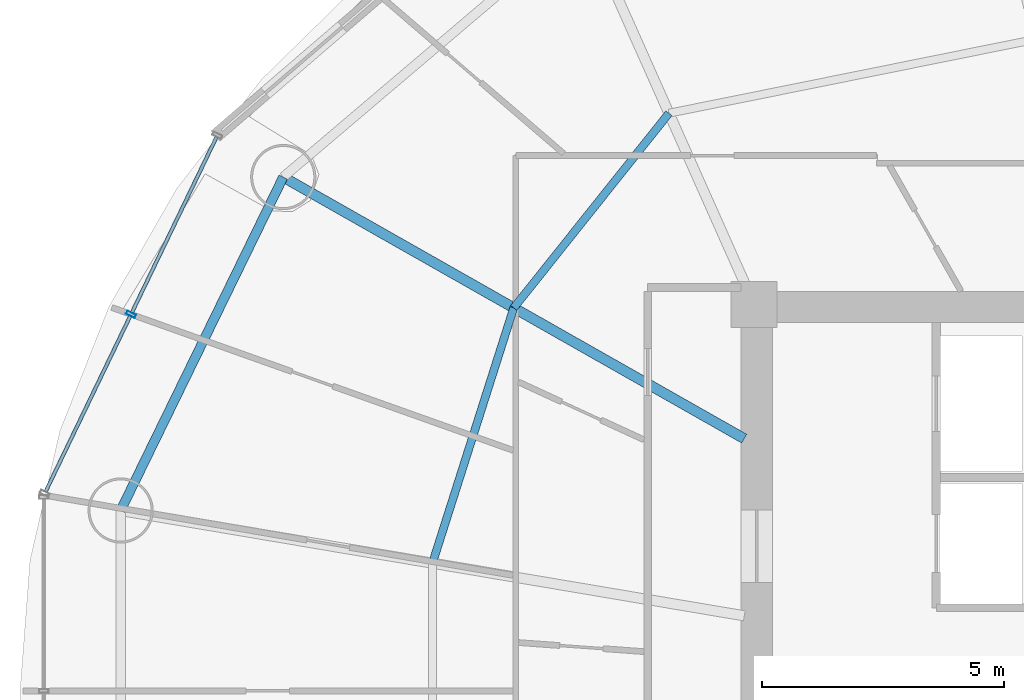
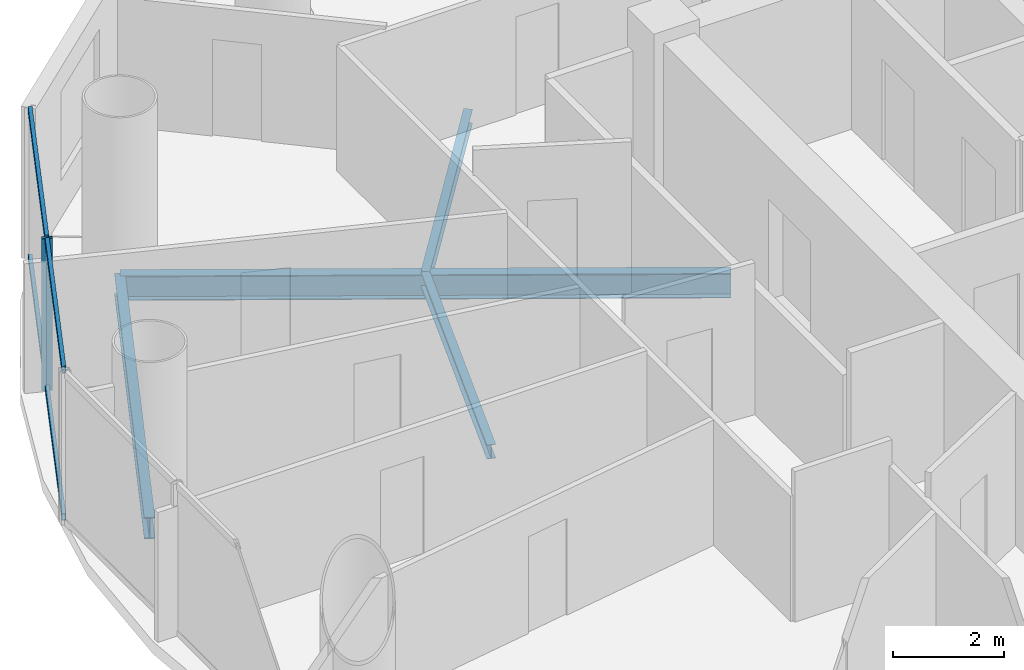
# One storey, part 7 of 26: 5 members, 4 beams, 1 element without a shape of its own.
"""IFC4 building model written with IfcOpenShell, lengths in metres."""

from ifc_helpers import new_model, si_unit, direction, frame, origin, origin_2d, place, context, subcontext, project, spatial, hollow_rectangle, i_section, extrude, source, transform, mapped, material, material_profile, profile_set, type_object, element, aggregate, save


model = new_model("IFC4")

# Units and contexts
model_context = context("Model", 3, precision=1e-05, world=origin(), true_north=direction((-0.2419218956, 0.970295726276)))
body_context = subcontext(model_context, "Body", "Model", "MODEL_VIEW")
ifc_project = project(units=[si_unit("LENGTHUNIT", "METRE"), si_unit("AREAUNIT", "SQUARE_METRE"), si_unit("VOLUMEUNIT", "CUBIC_METRE"), si_unit("PLANEANGLEUNIT", "RADIAN"), si_unit("MASSUNIT", "GRAM", prefix="KILO")], contexts=[model_context])

# Site, building, storey
site_placement = place(None, origin())
site = spatial("IfcSite", under=ifc_project, at=site_placement, CompositionType="ELEMENT")
building_placement = place(site_placement, origin())
building = spatial("IfcBuilding", under=site, at=building_placement, Name="Cobrevalo Terracotta Tower", CompositionType="ELEMENT")
storey_placement = place(building_placement, frame((0.0, 0.0, 167.800048828125)))
storey = spatial("IfcBuildingStorey", under=building, at=storey_placement, Name="L44", CompositionType="ELEMENT", Elevation=167.800048828125)

# Beams
ifc_material_1 = material(Name="Steel S355", Category="steel")
ifc_material_profile_1 = material_profile(ifc_material_1, i_section(OverallWidth=0.2109375, OverallDepth=0.5390625, WebThickness=0.01171875, FlangeThickness=0.018798828125, at=origin_2d()), Name="W 530x109")
ifc_profile_set_1 = profile_set([ifc_material_profile_1], Name="Steel S355")
beam_type_1 = type_object("IfcBeamType", Name="Structural Beam W 530x109 (Steel S355)", PredefinedType="BEAM", material=ifc_profile_set_1)
beam_1_placement = place(storey_placement, frame((19.250244140625, 37.439208984375, -0.53955078125), z_axis=(0.869734177783, -0.493520475762, 0.0), x_axis=(0.493520475762, 0.869734177783, 0.0)))
element("IfcBeam", 1, at=beam_1_placement, inside=storey, type_object=beam_type_1, Name="L44 radial floor girder 07", PredefinedType="BEAM", context=body_context, shape_type="SweptSolid", body=[
    extrude(i_section(OverallWidth=0.2109375, OverallDepth=0.5390625, WebThickness=0.01171875, FlangeThickness=0.018798828125, at=origin_2d()), origin(), (0.0, 0.0, 1.0), 10.974365234375),
])
ifc_material_profile_2 = material_profile(ifc_material_1, i_section(OverallWidth=0.1650390625, OverallDepth=0.31005859375, WebThickness=0.005859375, FlangeThickness=0.009765625, at=origin_2d()), Name="W 310x38.7")
ifc_profile_set_2 = profile_set([ifc_material_profile_2], Name="Steel S355")
beam_type_2 = type_object("IfcBeamType", Name="Structural Joist W 310x38.7 (Steel S355)", PredefinedType="JOIST", material=ifc_profile_set_2)
beam_2_placement = place(storey_placement, frame((27.23583984375, 38.76123046875, -0.425048828125), z_axis=(-0.62340602772, -0.781898282773, 0.0), x_axis=(0.781898282773, -0.62340602772, 0.0)))
element("IfcBeam", 2, at=beam_2_placement, inside=storey, type_object=beam_type_2, Name="L44 circumferential secondary floor joist 06", PredefinedType="JOIST", context=body_context, shape_type="SweptSolid", body=[
    extrude(i_section(OverallWidth=0.1650390625, OverallDepth=0.31005859375, WebThickness=0.005859375, FlangeThickness=0.009765625, at=origin_2d()), origin(), (0.0, 0.0, 1.0), 5.154052734375),
])
beam_3_placement = place(storey_placement, frame((24.022705078125, 34.731201171875, -0.425048828125), z_axis=(-0.303497928386, -0.952832098255, 0.0), x_axis=(0.952832098255, -0.303497928386, 0.0)))
element("IfcBeam", 3, at=beam_3_placement, inside=storey, type_object=beam_type_2, Name="L44 circumferential secondary floor joist 07", PredefinedType="JOIST", context=body_context, shape_type="SweptSolid", body=[
    extrude(i_section(OverallWidth=0.1650390625, OverallDepth=0.31005859375, WebThickness=0.005859375, FlangeThickness=0.009765625, at=origin_2d()), origin(), (0.0, 0.0, 1.0), 5.54736328125),
])
ifc_material_profile_3 = material_profile(ifc_material_1, i_section(OverallWidth=0.194091796875, OverallDepth=0.468994140625, WebThickness=0.011474609375, FlangeThickness=0.0205078125, at=origin_2d()), Name="W 460x106")
ifc_profile_set_3 = profile_set([ifc_material_profile_3], Name="Steel S355")
beam_type_3 = type_object("IfcBeamType", Name="Structural Spandrel W 460x106 (Steel S355)", PredefinedType="SPANDREL", material=ifc_profile_set_3)
beam_4_placement = place(storey_placement, frame((19.250244140625, 37.439208984375, -0.504638671875), z_axis=(-0.438367894028, -0.89879563277, 0.0), x_axis=(0.89879563277, -0.438367894028, 0.0)))
element("IfcBeam", 4, at=beam_4_placement, inside=storey, type_object=beam_type_3, Name="L44 perimeter ring spandrel 07", PredefinedType="SPANDREL", context=body_context, shape_type="SweptSolid", body=[
    extrude(i_section(OverallWidth=0.194091796875, OverallDepth=0.468994140625, WebThickness=0.011474609375, FlangeThickness=0.0205078125, at=origin_2d()), origin(), (0.0, 0.0, 1.0), 7.6806640625),
])

# Curtain wall, members
ifc_material_2 = material(Name="Anodized aluminium", Category="aluminium")
curtain_wall_type = type_object("IfcCurtainWallType", Name="Mid-tower high-wind unitised curtain wall CW-U2", PredefinedType="NOTDEFINED", material=ifc_material_2)
curtain_wall_placement = place(storey_placement, origin())
curtain_wall = element("IfcCurtainWall", 5, at=curtain_wall_placement, inside=storey, type_object=curtain_wall_type, Name="L44 curtain wall CW-L44-S07", PredefinedType="NOTDEFINED")
ifc_material_profile_4 = material_profile(ifc_material_2, hollow_rectangle(XDim=0.074951171875, YDim=0.14990234375, WallThickness=0.00439453125, at=origin_2d()), Name="CWT 75x150")
ifc_profile_set_4 = profile_set([ifc_material_profile_4], Name="Anodized aluminium")
member_type_1 = type_object("IfcMemberType", Name="Tower unitised aluminium transom 75x150", PredefinedType="USERDEFINED", material=ifc_profile_set_4)
shared_shape_1 = source(origin(), body_context, "Body", "SweptSolid", [
    extrude(hollow_rectangle(XDim=0.074951171875, YDim=0.14990234375, WallThickness=0.00439453125, at=origin_2d()), origin(), (0.0, 0.0, 1.0), 4.035888671875),
])
member_1_placement = place(storey_placement, frame((17.86865234375, 38.26708984375, 0.050048828125), z_axis=(-0.434221176581, -0.900806288726, 0.0), x_axis=(0.900806288726, -0.434221176581, 0.0)))
member_1 = element("IfcMember", 6, at=member_1_placement, type_object=member_type_1, Name="CW-L44-S07 transom B01-T1", ObjectType="TRANSOM", PredefinedType="USERDEFINED", context=body_context, shape_type="MappedRepresentation", body=[
    mapped(shared_shape_1, transform((0.0, 0.0, 0.0), scale=1.0)),
])
member_2_placement = place(storey_placement, frame((17.86865234375, 38.26708984375, 3.280029296875), z_axis=(-0.434221176581, -0.900806288726, 0.0), x_axis=(0.900806288726, -0.434221176581, 0.0)))
member_2 = element("IfcMember", 7, at=member_2_placement, type_object=member_type_1, Name="CW-L44-S07 transom B01-T2", ObjectType="TRANSOM", PredefinedType="USERDEFINED", context=body_context, shape_type="MappedRepresentation", body=[
    mapped(shared_shape_1, transform((0.0, 0.0, 0.0), scale=1.0)),
])
member_3_placement = place(storey_placement, frame((16.08154296875, 34.5595703125, 0.050048828125), z_axis=(-0.434221176581, -0.900806288726, 0.0), x_axis=(0.900806288726, -0.434221176581, 0.0)))
member_3 = element("IfcMember", 8, at=member_3_placement, type_object=member_type_1, Name="CW-L44-S07 transom B02-T1", ObjectType="TRANSOM", PredefinedType="USERDEFINED", context=body_context, shape_type="MappedRepresentation", body=[
    mapped(shared_shape_1, transform((0.0, 0.0, 0.0), scale=1.0)),
])
member_4_placement = place(storey_placement, frame((16.08154296875, 34.5595703125, 3.280029296875), z_axis=(-0.434221176581, -0.900806288726, 0.0), x_axis=(0.900806288726, -0.434221176581, 0.0)))
member_4 = element("IfcMember", 9, at=member_4_placement, type_object=member_type_1, Name="CW-L44-S07 transom B02-T2", ObjectType="TRANSOM", PredefinedType="USERDEFINED", context=body_context, shape_type="MappedRepresentation", body=[
    mapped(shared_shape_1, transform((0.0, 0.0, 0.0), scale=1.0)),
])
ifc_material_profile_5 = material_profile(ifc_material_2, hollow_rectangle(XDim=0.074951171875, YDim=0.199951171875, WallThickness=0.0048828125, at=origin_2d()), Name="CWM 75x200")
ifc_profile_set_5 = profile_set([ifc_material_profile_5], Name="Anodized aluminium")
member_type_2 = type_object("IfcMemberType", Name="Lower/mid tower unitised mullion 75x200", PredefinedType="MULLION", material=ifc_profile_set_5)
shared_shape_2 = source(origin(), body_context, "Body", "SweptSolid", [
    extrude(hollow_rectangle(XDim=0.074951171875, YDim=0.199951171875, WallThickness=0.0048828125, at=origin_2d()), origin(), (0.0, 0.0, 1.0), 3.329833984375),
])
member_5_placement = place(storey_placement, frame((16.098876953125, 34.595703125, 0.0), z_axis=(0.0, 0.0, 1.0), x_axis=(-0.434209440271, -0.900811945957, 0.0)))
member_5 = element("IfcMember", 10, at=member_5_placement, type_object=member_type_2, Name="CW-L44-S07 vertical mullion 02", PredefinedType="MULLION", context=body_context, shape_type="MappedRepresentation", body=[
    mapped(shared_shape_2, transform((0.0, 0.0, 0.0), scale=1.0)),
])
aggregate(curtain_wall, [member_5, member_1, member_2, member_3, member_4])

save(model, "model.ifc")
